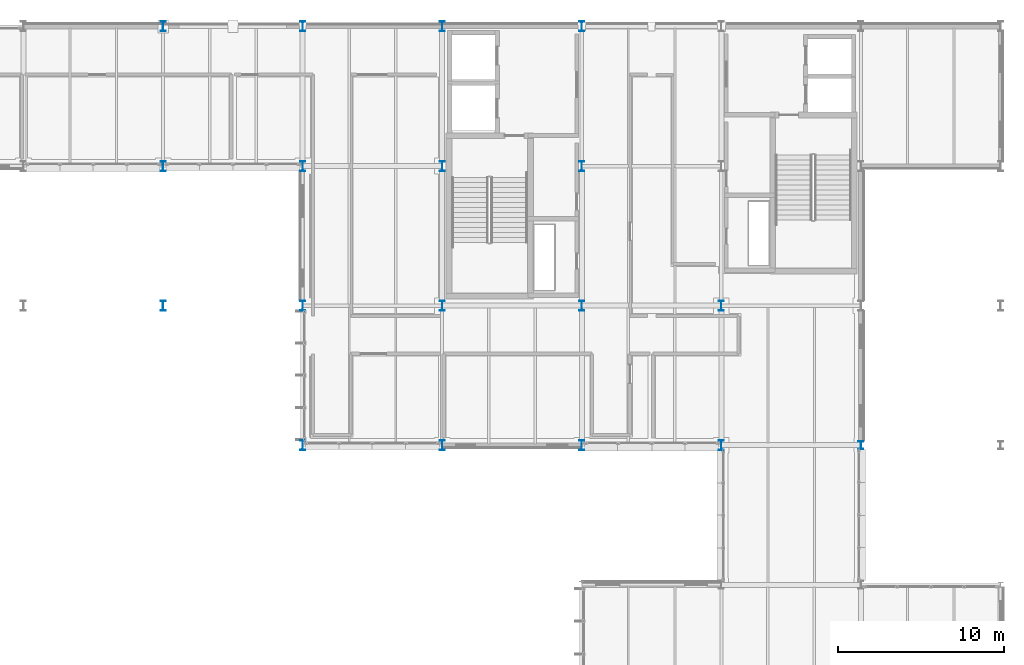
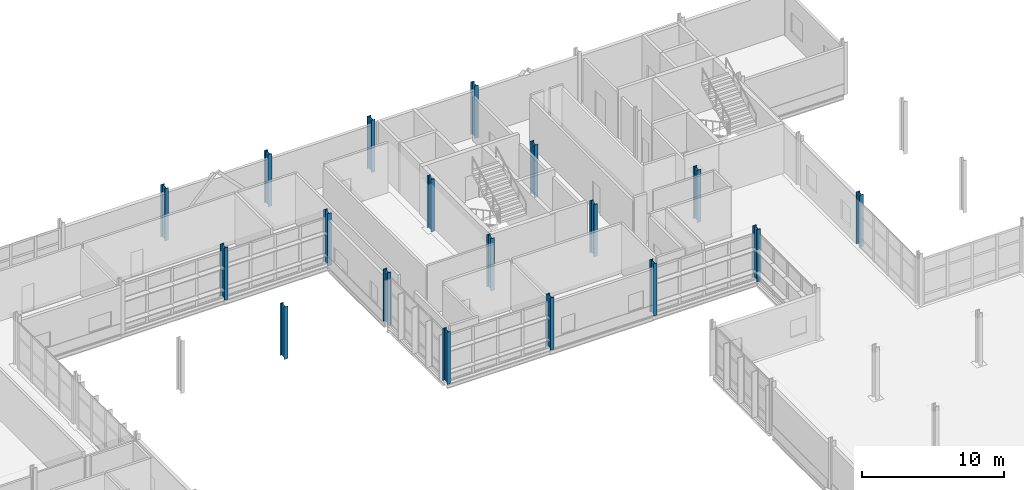
# One storey, part 17 of 129: 18 columns.
"""IFC4 building model written with IfcOpenShell, lengths in metres."""

import ifcopenshell
import ifcopenshell.guid

model = None  # the IFC model being written
_history = None  # IfcOwnerHistory: only IFC2X3 demands one
_inside = {}  # id of a spatial element -> (the spatial element, [elements in it])
_under = {}  # id of a project, library or spatial element -> (it, [spatial elements below it])
_declared = {}  # id of a project -> (the project, [libraries it declares])
_typed = {}  # id of a type object -> (the type object, [elements of that type])
_made_of = {}  # id of a material, layer set ... -> (it, [elements and type objects made of it])


def new_model(schema):
    """Start an empty IFC model of exactly this schema.

    Asked for "IFC4X3", IfcOpenShell would pick the latest addendum, in which some entities
    have other attributes; the version numbers below select the first issue.
    IFC2X3 requires an IfcOwnerHistory on every rooted entity: one is made here for all.
    """
    global model, _history
    if schema == "IFC4X3":
        model = ifcopenshell.file(schema_version=(4, 3, 0, 0))
    else:
        model = ifcopenshell.file(schema=schema)
    _inside.clear()
    _under.clear()
    _declared.clear()
    _typed.clear()
    _made_of.clear()
    _history = None
    if model.schema == "IFC2X3":
        org = make("IfcOrganization", Name="unknown")
        user = make(
            "IfcPersonAndOrganization",
            ThePerson=make("IfcPerson", FamilyName="unknown"),
            TheOrganization=org,
        )
        app = make(
            "IfcApplication",
            ApplicationDeveloper=org,
            Version="unknown",
            ApplicationFullName="unknown",
            ApplicationIdentifier="unknown",
        )
        _history = make(
            "IfcOwnerHistory",
            OwningUser=user,
            OwningApplication=app,
            ChangeAction="ADDED",
            CreationDate=0,
        )
    return model


def make(cls, **values):
    """One entity of the class cls with the attributes given. An attribute that is None is left unset."""
    return model.create_entity(
        cls, **{name: value for name, value in values.items() if value is not None}
    )


def rooted(cls, **values):
    """An entity with a GlobalId (a new one), such as an element, a storey or a relation."""
    return make(cls, GlobalId=ifcopenshell.guid.new(), OwnerHistory=_history, **values)


def si_unit(unit_type, name, prefix=None):
    """IfcSIUnit, for example si_unit("LENGTHUNIT", "METRE", prefix="MILLI")."""
    return make("IfcSIUnit", UnitType=unit_type, Prefix=prefix, Name=name)


def assignment(units):
    """IfcUnitAssignment: the units of a project."""
    return None if units is None else make("IfcUnitAssignment", Units=units)


def point(xyz):
    """IfcCartesianPoint."""
    return None if xyz is None else make("IfcCartesianPoint", Coordinates=xyz)


def direction(xyz):
    """IfcDirection."""
    return None if xyz is None else make("IfcDirection", DirectionRatios=xyz)


def frame(location, z_axis=None, x_axis=None):
    """IfcAxis2Placement3D, a coordinate frame: its origin and axes. An axis left out is left unset."""
    return make(
        "IfcAxis2Placement3D",
        Location=point(location),
        Axis=direction(z_axis),
        RefDirection=direction(x_axis),
    )


def frame_2d(location, x_axis=None):
    """IfcAxis2Placement2D, a coordinate frame in the plane: its origin and x axis."""
    return make(
        "IfcAxis2Placement2D", Location=point(location), RefDirection=direction(x_axis)
    )


def origin():
    """The frame at (0, 0, 0) with its axes left unset."""
    return frame((0.0, 0.0, 0.0))


def origin_2d():
    """The frame at (0, 0) in the plane with its x axis left unset."""
    return frame_2d((0.0, 0.0))


def place(relative_to, where):
    """IfcLocalPlacement: puts the frame where relative to a parent placement (None: the world)."""
    return make(
        "IfcLocalPlacement", PlacementRelTo=relative_to, RelativePlacement=where
    )


def context(
    kind, dimensions, precision=None, world=None, true_north=None, identifier=None
):
    """IfcGeometricRepresentationContext, for example the 3D "Model" context."""
    return make(
        "IfcGeometricRepresentationContext",
        ContextIdentifier=identifier,
        ContextType=kind,
        CoordinateSpaceDimension=dimensions,
        Precision=precision,
        WorldCoordinateSystem=world,
        TrueNorth=true_north,
    )


def subcontext(parent, identifier, kind, view, scale=None):
    """IfcGeometricRepresentationSubContext, for example "Body" below "Model"."""
    return make(
        "IfcGeometricRepresentationSubContext",
        ContextIdentifier=identifier,
        ContextType=kind,
        ParentContext=parent,
        TargetScale=scale,
        TargetView=view,
    )


def project(units=None, contexts=None):
    """IfcProject with its units and contexts."""
    return rooted(
        "IfcProject",
        Name="project",
        RepresentationContexts=contexts,
        UnitsInContext=assignment(units),
    )


def spatial(cls, under=None, at=None, **own):
    """A site, building, storey or space (cls), placed at a placement, below another one or the project."""
    s = rooted(cls, ObjectPlacement=at, **own)
    if under is not None:
        _under.setdefault(under.id(), (under, []))[1].append(s)
    return s


def profile(cls, at=None, kind="AREA", **sizes):
    """A parametric profile (cls). Its sizes go by their IFC names, for example OverallWidth=200.0."""
    return make(cls, ProfileType=kind, Position=at, **sizes)


def i_section(**sizes):
    """IfcIShapeProfileDef."""
    return profile("IfcIShapeProfileDef", **sizes)


def extrude(swept, where, along, depth):
    """IfcExtrudedAreaSolid: the profile swept, set in the frame where, extruded along a direction by depth."""
    return make(
        "IfcExtrudedAreaSolid",
        SweptArea=swept,
        Position=where,
        ExtrudedDirection=direction(along),
        Depth=depth,
    )


def shape(context_of_items, identifier, shape_type, items):
    """IfcShapeRepresentation: the items that make up one representation, for example the "Body"."""
    return make(
        "IfcShapeRepresentation",
        ContextOfItems=context_of_items,
        RepresentationIdentifier=identifier,
        RepresentationType=shape_type,
        Items=items,
    )


def material(Name=None, Category=None):
    """IfcMaterial."""
    return make("IfcMaterial", Name=Name, Category=Category)


def material_profile(
    of_material, cross_section, Name=None, Category=None, Priority=None
):
    """IfcMaterialProfile: a cross section and its material."""
    return make(
        "IfcMaterialProfile",
        Name=Name,
        Material=of_material,
        Profile=cross_section,
        Priority=Priority,
        Category=Category,
    )


def profile_set(profiles, Name=None, composite=None):
    """IfcMaterialProfileSet."""
    return make(
        "IfcMaterialProfileSet",
        Name=Name,
        MaterialProfiles=profiles,
        CompositeProfile=composite,
    )


def made_of(thing, what):
    """Note that an element or type object is made of a material, layer set ...; save() writes the relation."""
    if what is not None:
        _made_of.setdefault(what.id(), (what, []))[1].append(thing)
    return thing


def type_object(cls, material=None, **own):
    """A type object (cls), such as IfcWallType, which elements share."""
    return made_of(rooted(cls, **own), material)


def element(
    cls,
    number,
    at=None,
    inside=None,
    cuts=None,
    type_object=None,
    material=None,
    context=None,
    identifier="Body",
    shape_type=None,
    held_by="IfcProductDefinitionShape",
    body=None,
    shapes=None,
    **own,
):
    """One element of the class cls, such as IfcWall. Its Tag is "e" and its number.

    at: its placement. inside: the storey or other place that contains it. cuts: it is an
    opening in that element (IfcRelVoidsElement). A single representation is given by context,
    identifier, shape_type and body (its items); several are given by shapes. held_by: the class
    of the entity that holds the representations. save() writes the other relations.
    """
    e = rooted(cls, Tag="e%d" % number, ObjectPlacement=at, **own)
    if body is not None:
        shapes = [shape(context, identifier, shape_type, body)]
    if shapes is not None:
        e.Representation = make(held_by, Representations=shapes)
    if inside is not None:
        _inside.setdefault(inside.id(), (inside, []))[1].append(e)
    if cuts is not None:
        rooted(
            "IfcRelVoidsElement", RelatingBuildingElement=cuts, RelatedOpeningElement=e
        )
    if type_object is not None:
        _typed.setdefault(type_object.id(), (type_object, []))[1].append(e)
    return made_of(e, material)


def aggregate(whole, parts):
    """IfcRelAggregates: a whole, such as a stair, and the parts it consists of."""
    return rooted("IfcRelAggregates", RelatingObject=whole, RelatedObjects=parts)


def save(model, path):
    """Write the relations noted so far, then the file.

    IfcRelAggregates (storeys below a building ...), IfcRelContainedInSpatialStructure (elements
    in a storey), IfcRelDefinesByType, IfcRelAssociatesMaterial and IfcRelDeclares: one each for
    every whole, place, type object, material and project.
    """
    for whole, parts in _under.values():
        aggregate(whole, parts)
    for where, things in _inside.values():
        rooted(
            "IfcRelContainedInSpatialStructure",
            RelatedElements=things,
            RelatingStructure=where,
        )
    for kind, things in _typed.values():
        rooted("IfcRelDefinesByType", RelatedObjects=things, RelatingType=kind)
    for what, things in _made_of.values():
        rooted("IfcRelAssociatesMaterial", RelatedObjects=things, RelatingMaterial=what)
    for by, libraries in _declared.values():
        rooted("IfcRelDeclares", RelatingContext=by, RelatedDefinitions=libraries)
    model.write(path)


model = new_model("IFC4")

# Units and contexts
model_context = context("Model", 3, precision=1e-05, world=origin(), true_north=direction((0.0, 1.0)))
body_context = subcontext(model_context, "Body", "Model", "MODEL_VIEW")
ifc_project = project(units=[si_unit("LENGTHUNIT", "METRE"), si_unit("AREAUNIT", "SQUARE_METRE"), si_unit("VOLUMEUNIT", "CUBIC_METRE"), si_unit("PLANEANGLEUNIT", "RADIAN"), si_unit("MASSUNIT", "GRAM", prefix="KILO")], contexts=[model_context])

# Site, building, storey
site_placement = place(None, origin())
site = spatial("IfcSite", under=ifc_project, at=site_placement, CompositionType="ELEMENT")
building_placement = place(site_placement, origin())
building = spatial("IfcBuilding", under=site, at=building_placement, Name="Mersafa Astral City Hall", CompositionType="ELEMENT")
storey_placement = place(building_placement, frame((0.0, 0.0, 5.39990234375)))
storey = spatial("IfcBuildingStorey", under=building, at=storey_placement, Name="L01", CompositionType="ELEMENT", Elevation=5.39990234375)

# Columns
ifc_material = material(Name="Steel S355", Category="steel")
ifc_material_profile_1 = material_profile(ifc_material, i_section(OverallWidth=0.300048828125, OverallDepth=0.5, WebThickness=0.014404296875, FlangeThickness=0.028076171875, FilletRadius=0.027099609375, at=origin_2d()), Name="HEB 500")
ifc_profile_set_1 = profile_set([ifc_material_profile_1], Name="Steel S355")
column_type_1 = type_object("IfcColumnType", Name="STR-COL-HEB500", PredefinedType="COLUMN", material=ifc_profile_set_1)
column_placement = place(storey_placement, frame((176.39990234375, 100.800048828125, 0.0), z_axis=(0.0, 0.0, 1.0), x_axis=(1.0, 0.0, 0.0)))
element("IfcColumn", 1, at=column_placement, inside=storey, type_object=column_type_1, Name="L01 Structural column G-21-12", PredefinedType="COLUMN", context=body_context, shape_type="SweptSolid", body=[
    extrude(i_section(OverallWidth=0.300048828125, OverallDepth=0.5, WebThickness=0.014404296875, FlangeThickness=0.028076171875, FilletRadius=0.027099609375, at=origin_2d()), origin(), (0.0, 0.0, 1.0), 4.5),
])
ifc_material_profile_2 = material_profile(ifc_material, i_section(OverallWidth=0.300048828125, OverallDepth=0.60009765625, WebThickness=0.015380859375, FlangeThickness=0.030029296875, FilletRadius=0.027099609375, at=origin_2d()), Name="HEB 600")
ifc_profile_set_2 = profile_set([ifc_material_profile_2], Name="Steel S355")
column_type_2 = type_object("IfcColumnType", Name="STR-COL-HEB600", PredefinedType="COLUMN", material=ifc_profile_set_2)
for number, where, z_axis, x_axis, name in (
    (2, (134.39990234375, 109.199951171875, 0.0), (0.0, 0.0, 1.0), (1.0, 0.0, 0.0), "L01 Structural column G-16-13"),
    (3, (134.39990234375, 117.60009765625, 0.0), (0.0, 0.0, 1.0), (1.0, 0.0, 0.0), "L01 Structural column G-16-14"),
    (4, (134.39990234375, 126.0, 0.0), (0.0, 0.0, 1.0), (1.0, 0.0, 0.0), "L01 Structural column G-16-15"),
    (5, (142.800048828125, 100.800048828125, 0.0), (0.0, 0.0, 1.0), (1.0, 0.0, 0.0), "L01 Structural column G-17-12"),
    (6, (142.800048828125, 109.199951171875, 0.0), (0.0, 0.0, 1.0), (1.0, 0.0, 0.0), "L01 Structural column G-17-13"),
    (7, (142.800048828125, 117.60009765625, 0.0), (0.0, 0.0, 1.0), (1.0, 0.0, 0.0), "L01 Structural column G-17-14"),
    (8, (142.800048828125, 126.0, 0.0), (0.0, 0.0, 1.0), (1.0, 0.0, 0.0), "L01 Structural column G-17-15"),
    (9, (151.199951171875, 100.800048828125, 0.0), (0.0, 0.0, 1.0), (1.0, 0.0, 0.0), "L01 Structural column G-18-12"),
    (10, (151.199951171875, 109.199951171875, 0.0), (0.0, 0.0, 1.0), (1.0, 0.0, 0.0), "L01 Structural column G-18-13"),
    (11, (151.199951171875, 117.60009765625, 0.0), (0.0, 0.0, 1.0), (1.0, 0.0, 0.0), "L01 Structural column G-18-14"),
    (12, (151.199951171875, 126.0, 0.0), (0.0, 0.0, 1.0), (1.0, 0.0, 0.0), "L01 Structural column G-18-15"),
    (13, (159.60009765625, 100.800048828125, 0.0), (0.0, 0.0, 1.0), (1.0, 0.0, 0.0), "L01 Structural column G-19-12"),
    (14, (159.60009765625, 109.199951171875, 0.0), (0.0, 0.0, 1.0), (1.0, 0.0, 0.0), "L01 Structural column G-19-13"),
    (15, (159.60009765625, 117.60009765625, 0.0), (0.0, 0.0, 1.0), (1.0, 0.0, 0.0), "L01 Structural column G-19-14"),
    (16, (159.60009765625, 126.0, 0.0), (0.0, 0.0, 1.0), (1.0, 0.0, 0.0), "L01 Structural column G-19-15"),
    (17, (168.0, 100.800048828125, 0.0), (0.0, 0.0, 1.0), (1.0, 0.0, 0.0), "L01 Structural column G-20-12"),
    (18, (168.0, 109.199951171875, 0.0), (0.0, 0.0, 1.0), (1.0, 0.0, 0.0), "L01 Structural column G-20-13"),
):
    element("IfcColumn", number, at=place(storey_placement, frame(where, z_axis=z_axis, x_axis=x_axis)), inside=storey, type_object=column_type_2, Name=name, PredefinedType="COLUMN", context=body_context, shape_type="SweptSolid", body=[
        extrude(i_section(OverallWidth=0.300048828125, OverallDepth=0.60009765625, WebThickness=0.015380859375, FlangeThickness=0.030029296875, FilletRadius=0.027099609375, at=origin_2d()), origin(), (0.0, 0.0, 1.0), 4.5),
    ])

save(model, "model.ifc")
